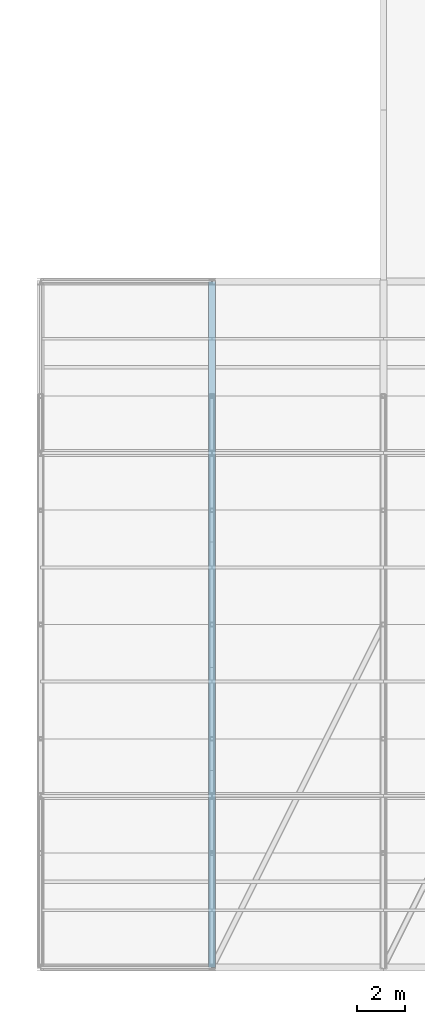
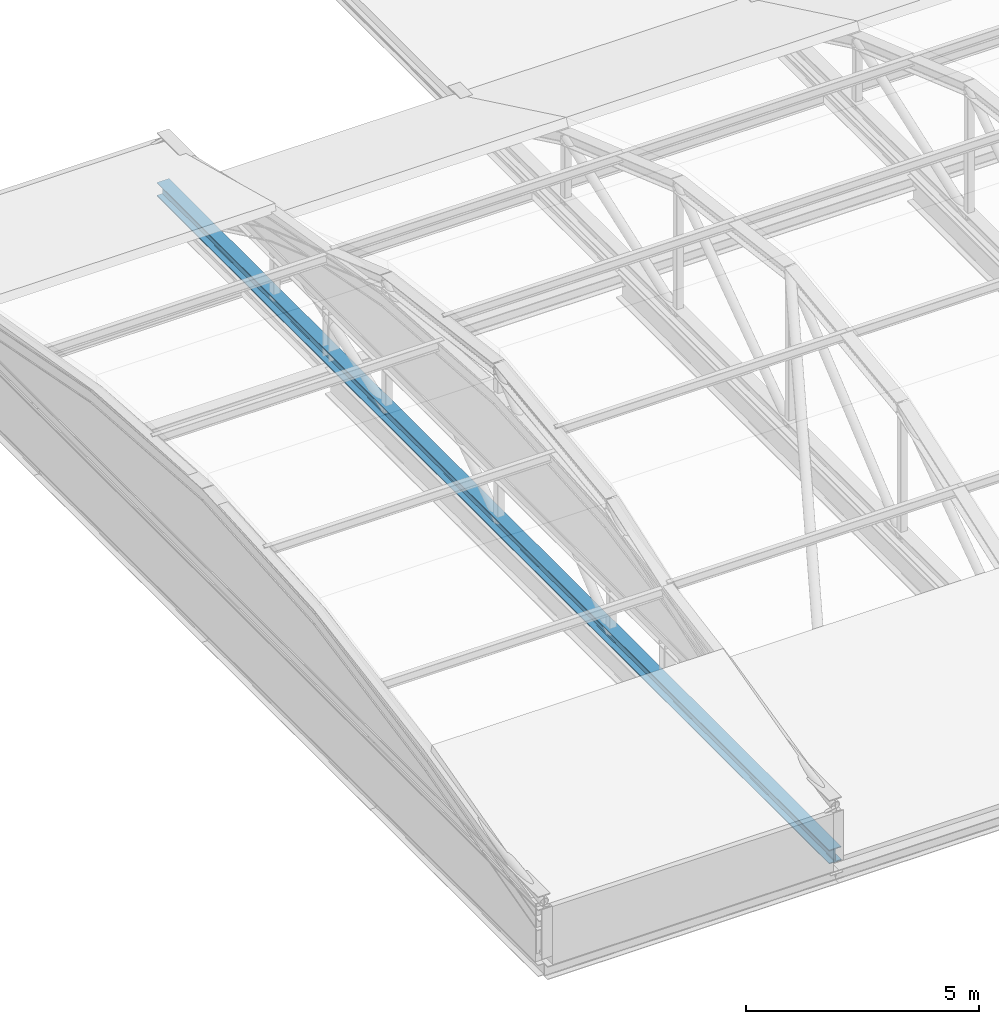
# One storey, part 16 of 103: 1 member.
"""IFC4 building model written with IfcOpenShell, lengths in metres."""

import ifcopenshell
import ifcopenshell.guid

model = None  # the IFC model being written
_history = None  # IfcOwnerHistory: only IFC2X3 demands one
_inside = {}  # id of a spatial element -> (the spatial element, [elements in it])
_under = {}  # id of a project, library or spatial element -> (it, [spatial elements below it])
_declared = {}  # id of a project -> (the project, [libraries it declares])
_typed = {}  # id of a type object -> (the type object, [elements of that type])
_made_of = {}  # id of a material, layer set ... -> (it, [elements and type objects made of it])


def new_model(schema):
    """Start an empty IFC model of exactly this schema.

    Asked for "IFC4X3", IfcOpenShell would pick the latest addendum, in which some entities
    have other attributes; the version numbers below select the first issue.
    IFC2X3 requires an IfcOwnerHistory on every rooted entity: one is made here for all.
    """
    global model, _history
    if schema == "IFC4X3":
        model = ifcopenshell.file(schema_version=(4, 3, 0, 0))
    else:
        model = ifcopenshell.file(schema=schema)
    _inside.clear()
    _under.clear()
    _declared.clear()
    _typed.clear()
    _made_of.clear()
    _history = None
    if model.schema == "IFC2X3":
        org = make("IfcOrganization", Name="unknown")
        user = make(
            "IfcPersonAndOrganization",
            ThePerson=make("IfcPerson", FamilyName="unknown"),
            TheOrganization=org,
        )
        app = make(
            "IfcApplication",
            ApplicationDeveloper=org,
            Version="unknown",
            ApplicationFullName="unknown",
            ApplicationIdentifier="unknown",
        )
        _history = make(
            "IfcOwnerHistory",
            OwningUser=user,
            OwningApplication=app,
            ChangeAction="ADDED",
            CreationDate=0,
        )
    return model


def make(cls, **values):
    """One entity of the class cls with the attributes given. An attribute that is None is left unset."""
    return model.create_entity(
        cls, **{name: value for name, value in values.items() if value is not None}
    )


def rooted(cls, **values):
    """An entity with a GlobalId (a new one), such as an element, a storey or a relation."""
    return make(cls, GlobalId=ifcopenshell.guid.new(), OwnerHistory=_history, **values)


def si_unit(unit_type, name, prefix=None):
    """IfcSIUnit, for example si_unit("LENGTHUNIT", "METRE", prefix="MILLI")."""
    return make("IfcSIUnit", UnitType=unit_type, Prefix=prefix, Name=name)


def assignment(units):
    """IfcUnitAssignment: the units of a project."""
    return None if units is None else make("IfcUnitAssignment", Units=units)


def point(xyz):
    """IfcCartesianPoint."""
    return None if xyz is None else make("IfcCartesianPoint", Coordinates=xyz)


def direction(xyz):
    """IfcDirection."""
    return None if xyz is None else make("IfcDirection", DirectionRatios=xyz)


def frame(location, z_axis=None, x_axis=None):
    """IfcAxis2Placement3D, a coordinate frame: its origin and axes. An axis left out is left unset."""
    return make(
        "IfcAxis2Placement3D",
        Location=point(location),
        Axis=direction(z_axis),
        RefDirection=direction(x_axis),
    )


def frame_2d(location, x_axis=None):
    """IfcAxis2Placement2D, a coordinate frame in the plane: its origin and x axis."""
    return make(
        "IfcAxis2Placement2D", Location=point(location), RefDirection=direction(x_axis)
    )


def origin():
    """The frame at (0, 0, 0) with its axes left unset."""
    return frame((0.0, 0.0, 0.0))


def origin_2d():
    """The frame at (0, 0) in the plane with its x axis left unset."""
    return frame_2d((0.0, 0.0))


def place(relative_to, where):
    """IfcLocalPlacement: puts the frame where relative to a parent placement (None: the world)."""
    return make(
        "IfcLocalPlacement", PlacementRelTo=relative_to, RelativePlacement=where
    )


def context(
    kind, dimensions, precision=None, world=None, true_north=None, identifier=None
):
    """IfcGeometricRepresentationContext, for example the 3D "Model" context."""
    return make(
        "IfcGeometricRepresentationContext",
        ContextIdentifier=identifier,
        ContextType=kind,
        CoordinateSpaceDimension=dimensions,
        Precision=precision,
        WorldCoordinateSystem=world,
        TrueNorth=true_north,
    )


def subcontext(parent, identifier, kind, view, scale=None):
    """IfcGeometricRepresentationSubContext, for example "Body" below "Model"."""
    return make(
        "IfcGeometricRepresentationSubContext",
        ContextIdentifier=identifier,
        ContextType=kind,
        ParentContext=parent,
        TargetScale=scale,
        TargetView=view,
    )


def project(units=None, contexts=None):
    """IfcProject with its units and contexts."""
    return rooted(
        "IfcProject",
        Name="project",
        RepresentationContexts=contexts,
        UnitsInContext=assignment(units),
    )


def spatial(cls, under=None, at=None, **own):
    """A site, building, storey or space (cls), placed at a placement, below another one or the project."""
    s = rooted(cls, ObjectPlacement=at, **own)
    if under is not None:
        _under.setdefault(under.id(), (under, []))[1].append(s)
    return s


def profile(cls, at=None, kind="AREA", **sizes):
    """A parametric profile (cls). Its sizes go by their IFC names, for example OverallWidth=200.0."""
    return make(cls, ProfileType=kind, Position=at, **sizes)


def i_section(**sizes):
    """IfcIShapeProfileDef."""
    return profile("IfcIShapeProfileDef", **sizes)


def extrude(swept, where, along, depth):
    """IfcExtrudedAreaSolid: the profile swept, set in the frame where, extruded along a direction by depth."""
    return make(
        "IfcExtrudedAreaSolid",
        SweptArea=swept,
        Position=where,
        ExtrudedDirection=direction(along),
        Depth=depth,
    )


def shape(context_of_items, identifier, shape_type, items):
    """IfcShapeRepresentation: the items that make up one representation, for example the "Body"."""
    return make(
        "IfcShapeRepresentation",
        ContextOfItems=context_of_items,
        RepresentationIdentifier=identifier,
        RepresentationType=shape_type,
        Items=items,
    )


def material(Name=None, Category=None):
    """IfcMaterial."""
    return make("IfcMaterial", Name=Name, Category=Category)


def material_profile(
    of_material, cross_section, Name=None, Category=None, Priority=None
):
    """IfcMaterialProfile: a cross section and its material."""
    return make(
        "IfcMaterialProfile",
        Name=Name,
        Material=of_material,
        Profile=cross_section,
        Priority=Priority,
        Category=Category,
    )


def profile_set(profiles, Name=None, composite=None):
    """IfcMaterialProfileSet."""
    return make(
        "IfcMaterialProfileSet",
        Name=Name,
        MaterialProfiles=profiles,
        CompositeProfile=composite,
    )


def made_of(thing, what):
    """Note that an element or type object is made of a material, layer set ...; save() writes the relation."""
    if what is not None:
        _made_of.setdefault(what.id(), (what, []))[1].append(thing)
    return thing


def type_object(cls, material=None, **own):
    """A type object (cls), such as IfcWallType, which elements share."""
    return made_of(rooted(cls, **own), material)


def element(
    cls,
    number,
    at=None,
    inside=None,
    cuts=None,
    type_object=None,
    material=None,
    context=None,
    identifier="Body",
    shape_type=None,
    held_by="IfcProductDefinitionShape",
    body=None,
    shapes=None,
    **own,
):
    """One element of the class cls, such as IfcWall. Its Tag is "e" and its number.

    at: its placement. inside: the storey or other place that contains it. cuts: it is an
    opening in that element (IfcRelVoidsElement). A single representation is given by context,
    identifier, shape_type and body (its items); several are given by shapes. held_by: the class
    of the entity that holds the representations. save() writes the other relations.
    """
    e = rooted(cls, Tag="e%d" % number, ObjectPlacement=at, **own)
    if body is not None:
        shapes = [shape(context, identifier, shape_type, body)]
    if shapes is not None:
        e.Representation = make(held_by, Representations=shapes)
    if inside is not None:
        _inside.setdefault(inside.id(), (inside, []))[1].append(e)
    if cuts is not None:
        rooted(
            "IfcRelVoidsElement", RelatingBuildingElement=cuts, RelatedOpeningElement=e
        )
    if type_object is not None:
        _typed.setdefault(type_object.id(), (type_object, []))[1].append(e)
    return made_of(e, material)


def aggregate(whole, parts):
    """IfcRelAggregates: a whole, such as a stair, and the parts it consists of."""
    return rooted("IfcRelAggregates", RelatingObject=whole, RelatedObjects=parts)


def save(model, path):
    """Write the relations noted so far, then the file.

    IfcRelAggregates (storeys below a building ...), IfcRelContainedInSpatialStructure (elements
    in a storey), IfcRelDefinesByType, IfcRelAssociatesMaterial and IfcRelDeclares: one each for
    every whole, place, type object, material and project.
    """
    for whole, parts in _under.values():
        aggregate(whole, parts)
    for where, things in _inside.values():
        rooted(
            "IfcRelContainedInSpatialStructure",
            RelatedElements=things,
            RelatingStructure=where,
        )
    for kind, things in _typed.values():
        rooted("IfcRelDefinesByType", RelatedObjects=things, RelatingType=kind)
    for what, things in _made_of.values():
        rooted("IfcRelAssociatesMaterial", RelatedObjects=things, RelatingMaterial=what)
    for by, libraries in _declared.values():
        rooted("IfcRelDeclares", RelatingContext=by, RelatedDefinitions=libraries)
    model.write(path)


model = new_model("IFC4")

# Units and contexts
model_context = context("Model", 3, precision=1e-05, world=origin(), true_north=direction((0.0, 1.0)))
body_context = subcontext(model_context, "Body", "Model", "MODEL_VIEW")
ifc_project = project(units=[si_unit("LENGTHUNIT", "METRE"), si_unit("AREAUNIT", "SQUARE_METRE"), si_unit("VOLUMEUNIT", "CUBIC_METRE"), si_unit("PLANEANGLEUNIT", "RADIAN"), si_unit("MASSUNIT", "GRAM", prefix="KILO")], contexts=[model_context])

# Site, building, storey
site_placement = place(None, origin())
site = spatial("IfcSite", under=ifc_project, at=site_placement, CompositionType="ELEMENT")
building_placement = place(site_placement, origin())
building = spatial("IfcBuilding", under=site, at=building_placement, Name="Zlatovets Crest Museum", CompositionType="ELEMENT")
storey_placement = place(building_placement, frame((0.0, 0.0, 12.89990234375)))
storey = spatial("IfcBuildingStorey", under=building, at=storey_placement, Name="L03", CompositionType="ELEMENT", Elevation=12.89990234375)

# Member
ifc_material = material(Name="Structural steel S355J2", Category="steel")
ifc_material_profile = material_profile(ifc_material, i_section(OverallWidth=0.300048828125, OverallDepth=0.360107421875, WebThickness=0.012451171875, FlangeThickness=0.0224609375, FilletRadius=0.027099609375, at=origin_2d()), Name="HEB 360")
ifc_profile_set = profile_set([ifc_material_profile], Name="Structural steel S355J2")
member_type = type_object("IfcMemberType", Name="Member_TM-01", PredefinedType="CHORD", material=ifc_profile_set)
member_placement = place(storey_placement, frame((7.199951171875, 0.0, 0.080078125), z_axis=(0.0, 1.0, 0.0), x_axis=(-1.0, 0.0, 0.0)))
element("IfcMember", 1, at=member_placement, inside=storey, type_object=member_type, Name="V3 Art Nouveau Barrel Vault Tie Chord", PredefinedType="CHORD", context=body_context, shape_type="SweptSolid", body=[
    extrude(i_section(OverallWidth=0.300048828125, OverallDepth=0.360107421875, WebThickness=0.012451171875, FlangeThickness=0.0224609375, FilletRadius=0.027099609375, at=origin_2d()), origin(), (0.0, 0.0, 1.0), 28.800048828125),
])

save(model, "model.ifc")
